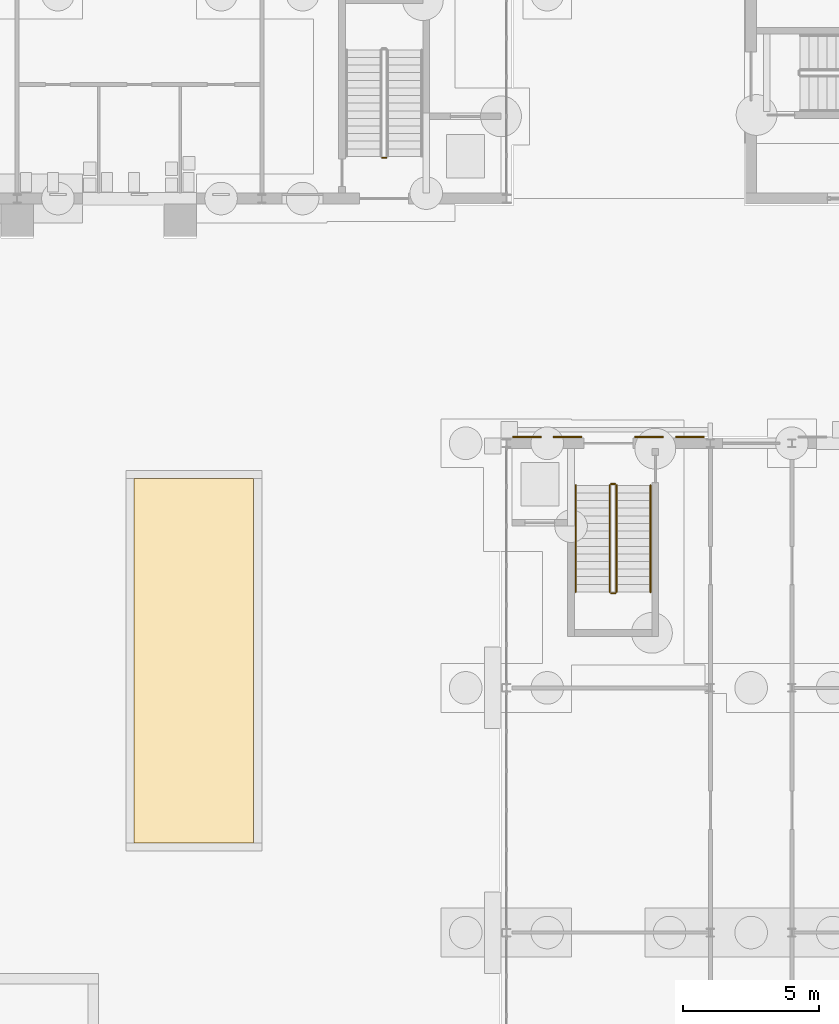
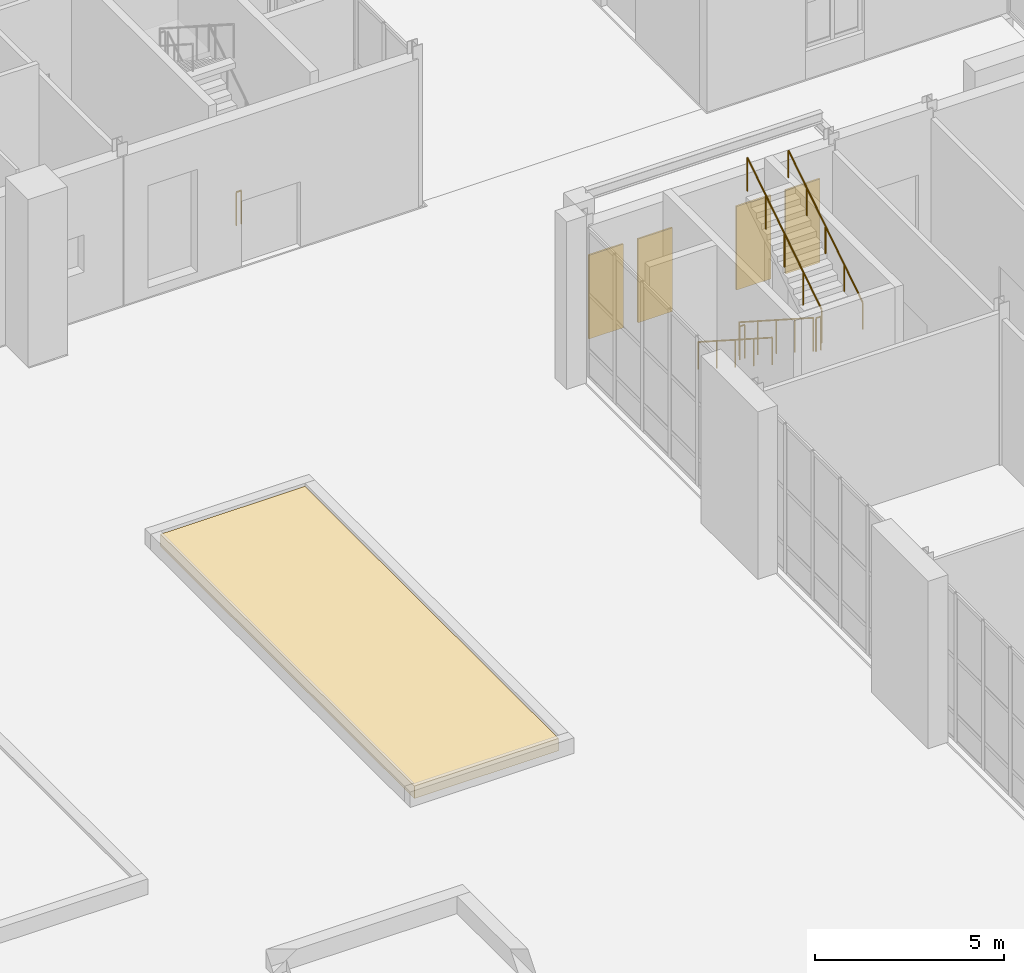
# One storey, part 140 of 168: 7 railings, 5 coverings.
"""IFC4 building model written with IfcOpenShell, lengths in metres."""

from ifc_helpers import new_model, si_unit, direction, frame, origin, origin_2d, place, context, subcontext, project, spatial, polyline, circle, outline, extrude, material, layer, layer_set, type_object, element, save


model = new_model("IFC4")

# Units and contexts
model_context = context("Model", 3, precision=1e-05, world=origin(), true_north=direction((0.0, 1.0)))
body_context = subcontext(model_context, "Body", "Model", "MODEL_VIEW")
ifc_project = project(units=[si_unit("LENGTHUNIT", "METRE"), si_unit("AREAUNIT", "SQUARE_METRE"), si_unit("VOLUMEUNIT", "CUBIC_METRE"), si_unit("PLANEANGLEUNIT", "RADIAN"), si_unit("MASSUNIT", "GRAM", prefix="KILO")], contexts=[model_context])

# Site, building, storey
site_placement = place(None, origin())
site = spatial("IfcSite", under=ifc_project, at=site_placement, CompositionType="ELEMENT")
building_placement = place(site_placement, origin())
building = spatial("IfcBuilding", under=site, at=building_placement, Name="Golden Quay Civic Hall", CompositionType="ELEMENT")
storey_placement = place(building_placement, origin())
storey = spatial("IfcBuildingStorey", under=building, at=storey_placement, Name="L00", CompositionType="ELEMENT", Elevation=0.0)

# Covering
ifc_material_1 = material(Name="Planting soil")
ifc_layer_1 = layer(ifc_material_1, 0.39990234375)
ifc_layer_set_1 = layer_set([ifc_layer_1], Name="Planting soil 400")
covering_type_1 = type_object("IfcCoveringType", Name="Planting soil 400", PredefinedType="FLOORING", material=ifc_layer_set_1)
covering_1_placement = place(storey_placement, origin())
element("IfcCovering", 1, at=covering_1_placement, inside=storey, type_object=covering_type_1, Name="Court planting West Court 4", PredefinedType="FLOORING", context=body_context, shape_type="SweptSolid", body=[
    extrude(outline(polyline([(40.300048828125, 39.300048828125), (44.699951171875, 39.300048828125), (44.699951171875, 52.699951171875), (40.300048828125, 52.699951171875), (40.300048828125, 39.300048828125)])), origin(), (0.0, 0.0, 1.0), 0.39990234375),
])

# Railings
ifc_material_2 = material(Name="Steel S355", Category="steel")
railing_type_1 = type_object("IfcRailingType", Name="Steel guard 1100", PredefinedType="GUARDRAIL", material=ifc_material_2)
railing_1_placement = place(storey_placement, frame((49.574951171875, 64.5, 0.0)))
element("IfcRailing", 2, at=railing_1_placement, inside=storey, type_object=railing_type_1, Name="L00 NW-E stair guard 4", PredefinedType="GUARDRAIL", context=body_context, shape_type="SweptSolid", body=[
    extrude(circle(Radius=0.02392578125, at=origin_2d()), frame((0.0, 0.0, 1.076171875), z_axis=(-1.0, 0.0, 0.0), x_axis=(0.0, -1.0, 0.0)), (0.0, 0.0, 1.0), 0.14990234375),
    extrude(circle(Radius=0.02099609375, at=origin_2d()), origin(), (0.0, 0.0, 1.0), 1.052001953125),
    extrude(circle(Radius=0.02099609375, at=origin_2d()), frame((-0.14990234375, 0.0, 0.0)), (0.0, 0.0, 1.0), 1.052001953125),
])
railing_2_placement = place(storey_placement, frame((57.800048828125, 52.449951171875, 0.179931640625)))
element("IfcRailing", 3, at=railing_2_placement, inside=storey, type_object=railing_type_1, Name="L00 WM-N stair guard 1", PredefinedType="GUARDRAIL", context=body_context, shape_type="SweptSolid", body=[
    extrude(circle(Radius=0.02392578125, at=origin_2d()), frame((0.0, 0.0, 1.076171875), z_axis=(0.0, -0.841171666519, 0.540768182723), x_axis=(1.0, 0.0, 0.0)), (0.0, 0.0, 1.0), 4.66015625),
    extrude(circle(Radius=0.02099609375, at=origin_2d()), origin(), (0.0, 0.0, 1.0), 1.052001953125),
    extrude(circle(Radius=0.02099609375, at=origin_2d()), frame((0.0, -0.97998046875, 0.6298828125)), (0.0, 0.0, 1.0), 1.052001953125),
    extrude(circle(Radius=0.02099609375, at=origin_2d()), frame((0.0, -1.9599609375, 1.260009765625)), (0.0, 0.0, 1.0), 1.052001953125),
    extrude(circle(Radius=0.02099609375, at=origin_2d()), frame((0.0, -2.93994140625, 1.89013671875)), (0.0, 0.0, 1.0), 1.052001953125),
    extrude(circle(Radius=0.02099609375, at=origin_2d()), frame((0.0, -3.919921875, 2.52001953125)), (0.0, 0.0, 1.0), 1.052001953125),
])
railing_3_placement = place(storey_placement, frame((57.85009765625, 48.47998046875, 2.699951171875)))
element("IfcRailing", 4, at=railing_3_placement, inside=storey, type_object=railing_type_1, Name="L00 WM-N stair guard 2", PredefinedType="GUARDRAIL", context=body_context, shape_type="SweptSolid", body=[
    extrude(circle(Radius=0.02392578125, at=origin_2d()), frame((0.0, 0.0, 1.076171875), z_axis=(1.0, 0.0, 0.0), x_axis=(0.0, 1.0, 0.0)), (0.0, 0.0, 1.0), 0.14990234375),
    extrude(circle(Radius=0.02099609375, at=origin_2d()), origin(), (0.0, 0.0, 1.0), 1.052001953125),
    extrude(circle(Radius=0.02099609375, at=origin_2d()), frame((0.14990234375, 0.0, 0.0)), (0.0, 0.0, 1.0), 1.052001953125),
])
railing_4_placement = place(storey_placement, frame((58.050048828125, 48.530029296875, 2.8798828125)))
element("IfcRailing", 5, at=railing_4_placement, inside=storey, type_object=railing_type_1, Name="L00 WM-N stair guard 3", PredefinedType="GUARDRAIL", context=body_context, shape_type="SweptSolid", body=[
    extrude(circle(Radius=0.02392578125, at=origin_2d()), frame((0.0, 0.0, 1.076171875), z_axis=(0.0, 0.841171666519, 0.540768182723), x_axis=(-1.0, 0.0, 0.0)), (0.0, 0.0, 1.0), 4.66015625),
    extrude(circle(Radius=0.02099609375, at=origin_2d()), origin(), (0.0, 0.0, 1.0), 1.052001953125),
    extrude(circle(Radius=0.02099609375, at=origin_2d()), frame((0.0, 0.97998046875, 0.6298828125)), (0.0, 0.0, 1.0), 1.052001953125),
    extrude(circle(Radius=0.02099609375, at=origin_2d()), frame((0.0, 1.9599609375, 1.260009765625)), (0.0, 0.0, 1.0), 1.052001953125),
    extrude(circle(Radius=0.02099609375, at=origin_2d()), frame((0.0, 2.93994140625, 1.89013671875)), (0.0, 0.0, 1.0), 1.052001953125),
    extrude(circle(Radius=0.02099609375, at=origin_2d()), frame((0.0, 3.919921875, 2.52001953125)), (0.0, 0.0, 1.0), 1.052001953125),
])
railing_5_placement = place(storey_placement, frame((57.85009765625, 52.5, 0.0)))
element("IfcRailing", 6, at=railing_5_placement, inside=storey, type_object=railing_type_1, Name="L00 WM-N stair guard 4", PredefinedType="GUARDRAIL", context=body_context, shape_type="SweptSolid", body=[
    extrude(circle(Radius=0.02392578125, at=origin_2d()), frame((0.0, 0.0, 1.076171875), z_axis=(1.0, 0.0, 0.0), x_axis=(0.0, 1.0, 0.0)), (0.0, 0.0, 1.0), 0.14990234375),
    extrude(circle(Radius=0.02099609375, at=origin_2d()), origin(), (0.0, 0.0, 1.0), 1.052001953125),
    extrude(circle(Radius=0.02099609375, at=origin_2d()), frame((0.14990234375, 0.0, 0.0)), (0.0, 0.0, 1.0), 1.052001953125),
])
ifc_material_3 = material(Name="Steel S355", Category="steel")
railing_type_2 = type_object("IfcRailingType", Name="Steel handrail 900", PredefinedType="HANDRAIL", material=ifc_material_3)
railing_6_placement = place(storey_placement, frame((56.550048828125, 52.449951171875, 0.179931640625)))
element("IfcRailing", 7, at=railing_6_placement, inside=storey, type_object=railing_type_2, Name="L00 WM-N stair handrail 1", PredefinedType="HANDRAIL", context=body_context, shape_type="SweptSolid", body=[
    extrude(circle(Radius=0.02392578125, at=origin_2d()), frame((0.0, 0.0, 0.8759765625), z_axis=(0.0, -0.841171666519, 0.540768182723), x_axis=(1.0, 0.0, 0.0)), (0.0, 0.0, 1.0), 4.66015625),
    extrude(circle(Radius=0.02099609375, at=origin_2d()), origin(), (0.0, 0.0, 1.0), 0.851806640625),
    extrude(circle(Radius=0.02099609375, at=origin_2d()), frame((0.0, -0.97998046875, 0.6298828125)), (0.0, 0.0, 1.0), 0.851806640625),
    extrude(circle(Radius=0.02099609375, at=origin_2d()), frame((0.0, -1.9599609375, 1.260009765625)), (0.0, 0.0, 1.0), 0.851806640625),
    extrude(circle(Radius=0.02099609375, at=origin_2d()), frame((0.0, -2.93994140625, 1.89013671875)), (0.0, 0.0, 1.0), 0.851806640625),
    extrude(circle(Radius=0.02099609375, at=origin_2d()), frame((0.0, -3.919921875, 2.52001953125)), (0.0, 0.0, 1.0), 0.851806640625),
])
railing_7_placement = place(storey_placement, frame((59.300048828125, 48.530029296875, 2.8798828125)))
element("IfcRailing", 8, at=railing_7_placement, inside=storey, type_object=railing_type_2, Name="L00 WM-N stair handrail 2", PredefinedType="HANDRAIL", context=body_context, shape_type="SweptSolid", body=[
    extrude(circle(Radius=0.02392578125, at=origin_2d()), frame((0.0, 0.0, 0.8759765625), z_axis=(0.0, 0.841171666519, 0.540768182723), x_axis=(-1.0, 0.0, 0.0)), (0.0, 0.0, 1.0), 4.66015625),
    extrude(circle(Radius=0.02099609375, at=origin_2d()), origin(), (0.0, 0.0, 1.0), 0.851806640625),
    extrude(circle(Radius=0.02099609375, at=origin_2d()), frame((0.0, 0.97998046875, 0.6298828125)), (0.0, 0.0, 1.0), 0.851806640625),
    extrude(circle(Radius=0.02099609375, at=origin_2d()), frame((0.0, 1.9599609375, 1.260009765625)), (0.0, 0.0, 1.0), 0.851806640625),
    extrude(circle(Radius=0.02099609375, at=origin_2d()), frame((0.0, 2.93994140625, 1.89013671875)), (0.0, 0.0, 1.0), 0.851806640625),
    extrude(circle(Radius=0.02099609375, at=origin_2d()), frame((0.0, 3.919921875, 2.52001953125)), (0.0, 0.0, 1.0), 0.851806640625),
])

# Coverings
ifc_material_4 = material(Name="Terracotta cladding, golden glaze", Category="masonry")
ifc_layer_2 = layer(ifc_material_4, 0.050048828125)
ifc_layer_set_2 = layer_set([ifc_layer_2], Name="Terracotta solid panel 1050 x 2700 x 50")
covering_type_2 = type_object("IfcCoveringType", Name="Terracotta solid panel 1050 x 2700 x 50", PredefinedType="CLADDING", material=ifc_layer_set_2)
covering_2_placement = place(storey_placement, frame((0.0, 0.0, 0.89990234375)))
element("IfcCovering", 9, at=covering_2_placement, inside=storey, type_object=covering_type_2, Name="Terracotta solid panel 1050 x 2700 x 50 L00 24", PredefinedType="CLADDING", context=body_context, shape_type="SweptSolid", body=[
    extrude(outline(polyline([(54.22509765625, 54.199951171875), (55.27490234375, 54.199951171875), (55.27490234375, 54.25), (54.22509765625, 54.25), (54.22509765625, 54.199951171875)])), origin(), (0.0, 0.0, 1.0), 2.7001953125),
])
covering_3_placement = place(storey_placement, frame((0.0, 0.0, 0.89990234375)))
element("IfcCovering", 10, at=covering_3_placement, inside=storey, type_object=covering_type_2, Name="Terracotta solid panel 1050 x 2700 x 50 L00 25", PredefinedType="CLADDING", context=body_context, shape_type="SweptSolid", body=[
    extrude(outline(polyline([(55.72509765625, 54.199951171875), (56.77490234375, 54.199951171875), (56.77490234375, 54.25), (55.72509765625, 54.25), (55.72509765625, 54.199951171875)])), origin(), (0.0, 0.0, 1.0), 2.7001953125),
])
covering_4_placement = place(storey_placement, frame((0.0, 0.0, 0.89990234375)))
element("IfcCovering", 11, at=covering_4_placement, inside=storey, type_object=covering_type_2, Name="Terracotta solid panel 1050 x 2700 x 50 L00 26", PredefinedType="CLADDING", context=body_context, shape_type="SweptSolid", body=[
    extrude(outline(polyline([(58.72509765625, 54.199951171875), (59.77490234375, 54.199951171875), (59.77490234375, 54.25), (58.72509765625, 54.25), (58.72509765625, 54.199951171875)])), origin(), (0.0, 0.0, 1.0), 2.7001953125),
])
covering_5_placement = place(storey_placement, frame((0.0, 0.0, 0.89990234375)))
element("IfcCovering", 12, at=covering_5_placement, inside=storey, type_object=covering_type_2, Name="Terracotta solid panel 1050 x 2700 x 50 L00 27", PredefinedType="CLADDING", context=body_context, shape_type="SweptSolid", body=[
    extrude(outline(polyline([(60.22509765625, 54.199951171875), (61.27490234375, 54.199951171875), (61.27490234375, 54.25), (60.22509765625, 54.25), (60.22509765625, 54.199951171875)])), origin(), (0.0, 0.0, 1.0), 2.7001953125),
])

save(model, "model.ifc")
